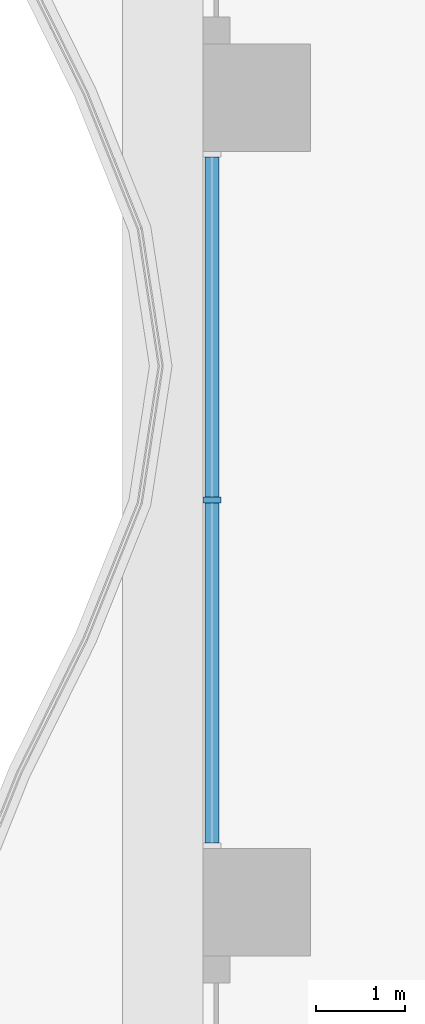
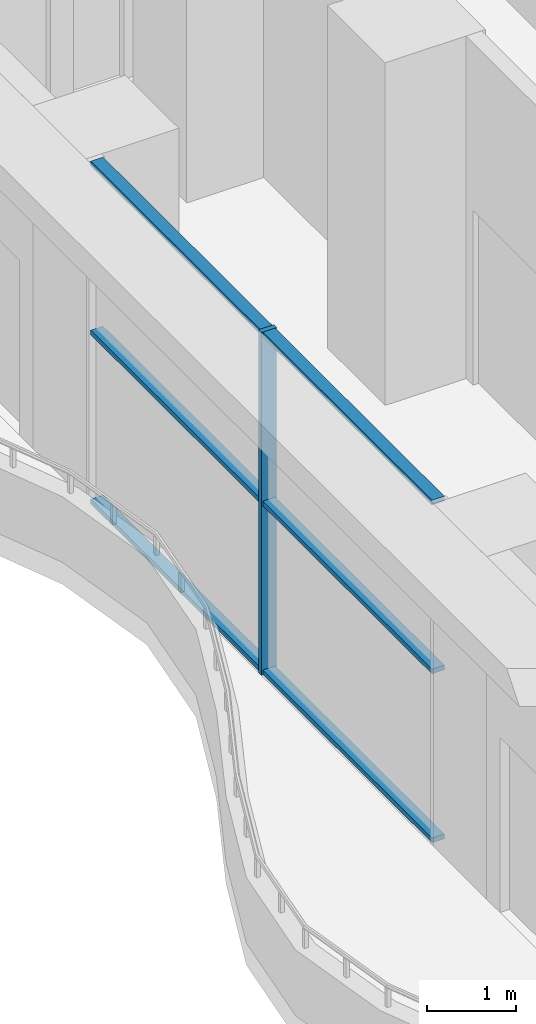
# One storey, part 3 of 14: 7 members, 1 element without a shape of its own.
"""IFC4 building model written with IfcOpenShell, lengths in metres."""

from ifc_helpers import new_model, si_unit, direction, frame, origin, origin_2d, place, context, subcontext, project, spatial, rectangle, extrude, material, material_profile, profile_set, type_object, element, aggregate, save


model = new_model("IFC4")

# Units and contexts
model_context = context("Model", 3, precision=1e-05, world=origin(), true_north=direction((0.0, 1.0)))
body_context = subcontext(model_context, "Body", "Model", "MODEL_VIEW")
ifc_project = project(units=[si_unit("LENGTHUNIT", "METRE"), si_unit("AREAUNIT", "SQUARE_METRE"), si_unit("VOLUMEUNIT", "CUBIC_METRE"), si_unit("PLANEANGLEUNIT", "RADIAN"), si_unit("MASSUNIT", "GRAM", prefix="KILO")], contexts=[model_context])

# Site, building, storey
site_placement = place(None, origin())
site = spatial("IfcSite", under=ifc_project, at=site_placement, CompositionType="ELEMENT")
building_placement = place(site_placement, origin())
building = spatial("IfcBuilding", under=site, at=building_placement, Name="Orbiselva Terraces", CompositionType="ELEMENT")
storey_placement = place(building_placement, frame((0.0, 0.0, 120.0)))
storey = spatial("IfcBuildingStorey", under=building, at=storey_placement, Name="L30", CompositionType="ELEMENT", Elevation=120.0)

# Curtain wall, members
ifc_material_1 = material(Name="Clear low-e glazing in aluminium frame", Category="aluminium")
curtain_wall_type = type_object("IfcCurtainWallType", Name="ENV-CW-SKY", PredefinedType="NOTDEFINED", material=ifc_material_1)
curtain_wall_placement = place(storey_placement, origin())
curtain_wall = element("IfcCurtainWall", 1, at=curtain_wall_placement, inside=storey, type_object=curtain_wall_type, Name="Curtain wall L30 W", PredefinedType="NOTDEFINED")
ifc_material_2 = material(Name="Anodised aluminium", Category="aluminium")
ifc_material_profile_1 = material_profile(ifc_material_2, rectangle(XDim=0.2, YDim=0.065, at=origin_2d()), Name="AL 65x200")
ifc_profile_set_1 = profile_set([ifc_material_profile_1], Name="Anodised aluminium")
member_type_1 = type_object("IfcMemberType", Name="ENV-CW-SKY-MULLION-65x200", PredefinedType="MULLION", material=ifc_profile_set_1)
member_1_placement = place(storey_placement, frame((-22.4, 9.0, 0.0), z_axis=(0.0, 0.0, 1.0), x_axis=(1.0, 0.0, 0.0)))
member_1 = element("IfcMember", 2, at=member_1_placement, type_object=member_type_1, Name="CW3 mullion 2", PredefinedType="MULLION", context=body_context, shape_type="SweptSolid", body=[
    extrude(rectangle(XDim=0.2, YDim=0.065, at=origin_2d()), origin(), (0.0, 0.0, 1.0), 4.7),
])
ifc_material_profile_2 = material_profile(ifc_material_2, rectangle(XDim=0.16, YDim=0.065, at=origin_2d()), Name="AL 65x160")
ifc_profile_set_2 = profile_set([ifc_material_profile_2], Name="Anodised aluminium")
member_type_2 = type_object("IfcMemberType", Name="ENV-CW-SKY-TRANSOM-65x160", PredefinedType="USERDEFINED", material=ifc_profile_set_2)
member_2_placement = place(storey_placement, frame((-22.4, 12.835, 0.0325), z_axis=(0.0, -1.0, 0.0), x_axis=(1.0, 0.0, 0.0)))
member_2 = element("IfcMember", 3, at=member_2_placement, type_object=member_type_2, Name="CW3 transom 1.1", ObjectType="TRANSOM", PredefinedType="USERDEFINED", context=body_context, shape_type="SweptSolid", body=[
    extrude(rectangle(XDim=0.16, YDim=0.065, at=origin_2d()), origin(), (0.0, 0.0, 1.0), 3.8025),
])
member_3_placement = place(storey_placement, frame((-22.4, 12.835, 2.35), z_axis=(0.0, -1.0, 0.0), x_axis=(1.0, 0.0, 0.0)))
member_3 = element("IfcMember", 4, at=member_3_placement, type_object=member_type_2, Name="CW3 transom 1.2", ObjectType="TRANSOM", PredefinedType="USERDEFINED", context=body_context, shape_type="SweptSolid", body=[
    extrude(rectangle(XDim=0.16, YDim=0.065, at=origin_2d()), origin(), (0.0, 0.0, 1.0), 3.8025),
])
member_4_placement = place(storey_placement, frame((-22.4, 12.835, 4.6675), z_axis=(0.0, -1.0, 0.0), x_axis=(1.0, 0.0, 0.0)))
member_4 = element("IfcMember", 5, at=member_4_placement, type_object=member_type_2, Name="CW3 transom 1.3", ObjectType="TRANSOM", PredefinedType="USERDEFINED", context=body_context, shape_type="SweptSolid", body=[
    extrude(rectangle(XDim=0.16, YDim=0.065, at=origin_2d()), origin(), (0.0, 0.0, 1.0), 3.8025),
])
member_5_placement = place(storey_placement, frame((-22.4, 8.9675, 0.0325), z_axis=(0.0, -1.0, 0.0), x_axis=(1.0, 0.0, 0.0)))
member_5 = element("IfcMember", 6, at=member_5_placement, type_object=member_type_2, Name="CW3 transom 2.1", ObjectType="TRANSOM", PredefinedType="USERDEFINED", context=body_context, shape_type="SweptSolid", body=[
    extrude(rectangle(XDim=0.16, YDim=0.065, at=origin_2d()), origin(), (0.0, 0.0, 1.0), 3.8025),
])
member_6_placement = place(storey_placement, frame((-22.4, 8.9675, 2.35), z_axis=(0.0, -1.0, 0.0), x_axis=(1.0, 0.0, 0.0)))
member_6 = element("IfcMember", 7, at=member_6_placement, type_object=member_type_2, Name="CW3 transom 2.2", ObjectType="TRANSOM", PredefinedType="USERDEFINED", context=body_context, shape_type="SweptSolid", body=[
    extrude(rectangle(XDim=0.16, YDim=0.065, at=origin_2d()), origin(), (0.0, 0.0, 1.0), 3.8025),
])
member_7_placement = place(storey_placement, frame((-22.4, 8.9675, 4.6675), z_axis=(0.0, -1.0, 0.0), x_axis=(1.0, 0.0, 0.0)))
member_7 = element("IfcMember", 8, at=member_7_placement, type_object=member_type_2, Name="CW3 transom 2.3", ObjectType="TRANSOM", PredefinedType="USERDEFINED", context=body_context, shape_type="SweptSolid", body=[
    extrude(rectangle(XDim=0.16, YDim=0.065, at=origin_2d()), origin(), (0.0, 0.0, 1.0), 3.8025),
])
aggregate(curtain_wall, [member_1, member_2, member_3, member_4, member_5, member_6, member_7])

save(model, "model.ifc")
